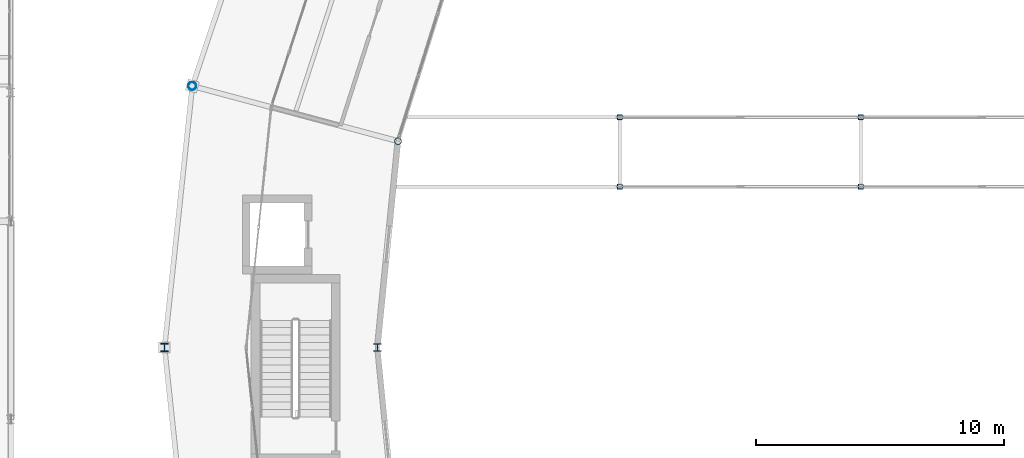
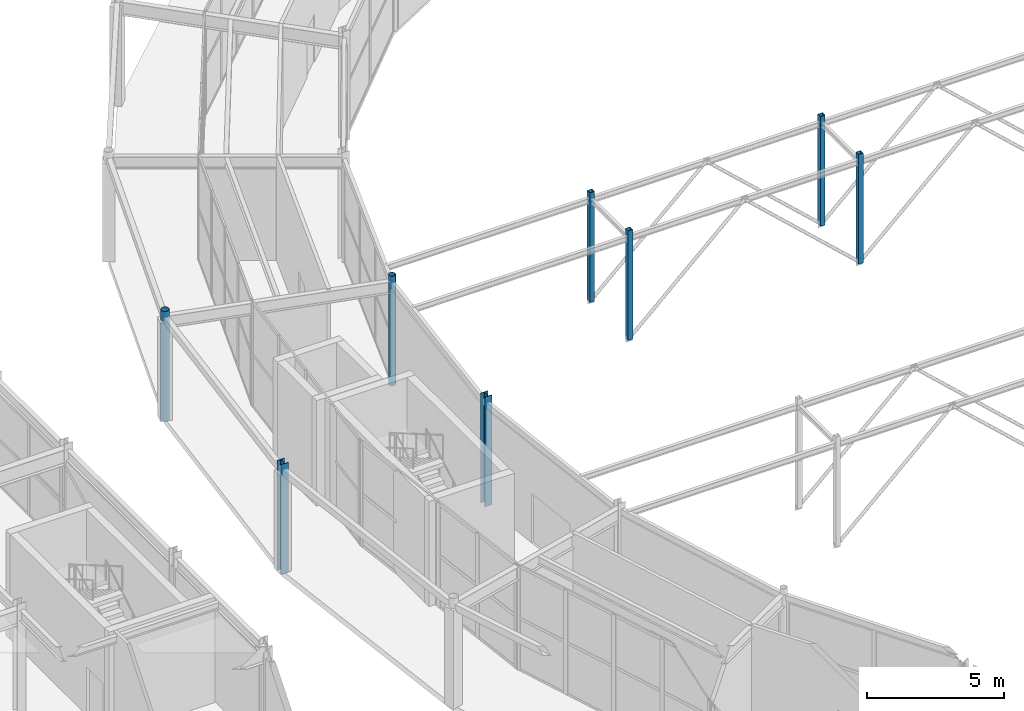
# One storey, part 5 of 144: 8 columns.
"""IFC4 building model written with IfcOpenShell, lengths in metres."""

from ifc_helpers import new_model, si_unit, direction, frame, origin, origin_2d, place, context, subcontext, project, spatial, hollow_rectangle, hollow_circle, i_section, extrude, material, material_profile, profile_set, type_object, element, save


model = new_model("IFC4")

# Units and contexts
model_context = context("Model", 3, precision=1e-05, world=origin(), true_north=direction((0.0, 1.0)))
body_context = subcontext(model_context, "Body", "Model", "MODEL_VIEW")
ifc_project = project(units=[si_unit("LENGTHUNIT", "METRE"), si_unit("AREAUNIT", "SQUARE_METRE"), si_unit("VOLUMEUNIT", "CUBIC_METRE"), si_unit("PLANEANGLEUNIT", "RADIAN"), si_unit("MASSUNIT", "GRAM", prefix="KILO")], contexts=[model_context])

# Site, building, storey
site_placement = place(None, origin())
site = spatial("IfcSite", under=ifc_project, at=site_placement, CompositionType="ELEMENT")
building_placement = place(site_placement, origin())
building = spatial("IfcBuilding", under=site, at=building_placement, Name="Karori Crest Natural Sciences Institute", CompositionType="ELEMENT")
storey_placement = place(building_placement, origin())
storey = spatial("IfcBuildingStorey", under=building, at=storey_placement, Name="L00", CompositionType="ELEMENT", Elevation=0.0)

# Columns
ifc_material_1 = material(Name="Structural steel AS/NZS 3679.1 Grade 350", Category="steel")
ifc_material_profile_1 = material_profile(ifc_material_1, i_section(OverallWidth=0.31103515625, OverallDepth=0.326904296875, WebThickness=0.015625, FlangeThickness=0.02490234375, FilletRadius=0.01708984375, at=origin_2d()), Name="310UC158")
ifc_profile_set_1 = profile_set([ifc_material_profile_1], Name="Structural steel AS/NZS 3679.1 Grade 350")
column_type_1 = type_object("IfcColumnType", Name="CT-04", PredefinedType="COLUMN", material=ifc_profile_set_1)
column_1_placement = place(storey_placement, frame((33.39990234375, 49.89990234375, 0.0), z_axis=(0.0, 0.0, 1.0), x_axis=(1.0, 0.0, 0.0)))
element("IfcColumn", 1, at=column_1_placement, inside=storey, type_object=column_type_1, Name="Column C-0207", PredefinedType="COLUMN", context=body_context, shape_type="SweptSolid", body=[
    extrude(i_section(OverallWidth=0.31103515625, OverallDepth=0.326904296875, WebThickness=0.015625, FlangeThickness=0.02490234375, FilletRadius=0.01708984375, at=origin_2d()), origin(), (0.0, 0.0, 1.0), 4.89990234375),
])
ifc_material_profile_2 = material_profile(ifc_material_1, i_section(OverallWidth=0.306884765625, OverallDepth=0.31494140625, WebThickness=0.011962890625, FlangeThickness=0.018798828125, FilletRadius=0.01708984375, at=origin_2d()), Name="310UC118")
ifc_profile_set_2 = profile_set([ifc_material_profile_2], Name="Structural steel AS/NZS 3679.1 Grade 350")
column_type_2 = type_object("IfcColumnType", Name="CT-05", PredefinedType="COLUMN", material=ifc_profile_set_2)
column_2_placement = place(storey_placement, frame((42.0, 49.89990234375, 0.0), z_axis=(0.0, 0.0, 1.0), x_axis=(1.0, 0.0, 0.0)))
element("IfcColumn", 2, at=column_2_placement, inside=storey, type_object=column_type_2, Name="Column C-0208", PredefinedType="COLUMN", context=body_context, shape_type="SweptSolid", body=[
    extrude(i_section(OverallWidth=0.306884765625, OverallDepth=0.31494140625, WebThickness=0.011962890625, FlangeThickness=0.018798828125, FilletRadius=0.01708984375, at=origin_2d()), origin(), (0.0, 0.0, 1.0), 4.89990234375),
])
ifc_material_2 = material(Name="Hollow structural steel AS/NZS 1163 Grade C350", Category="steel")
ifc_material_profile_3 = material_profile(ifc_material_2, hollow_rectangle(XDim=0.199951171875, YDim=0.199951171875, WallThickness=0.010009765625, at=origin_2d()), Name="SHS200x200x10")
ifc_profile_set_3 = profile_set([ifc_material_profile_3], Name="Hollow structural steel AS/NZS 1163 Grade C350")
column_type_3 = type_object("IfcColumnType", Name="CT-13-EL", PredefinedType="COLUMN", material=ifc_profile_set_3)
for number, where, z_axis, x_axis, name in (
    (3, (51.7900390625, 56.39990234375, 0.0), (0.0, 0.0, 1.0), (1.0, 0.0, 0.0), "Column C-0438"),
    (4, (51.7900390625, 59.199951171875, 0.0), (0.0, 0.0, 1.0), (1.0, 0.0, 0.0), "Column C-0442"),
    (5, (61.530029296875, 56.39990234375, 0.0), (0.0, 0.0, 1.0), (1.0, 0.0, 0.0), "Column C-0446"),
    (6, (61.530029296875, 59.199951171875, 0.0), (0.0, 0.0, 1.0), (1.0, 0.0, 0.0), "Column C-0450"),
):
    element("IfcColumn", number, at=place(storey_placement, frame(where, z_axis=z_axis, x_axis=x_axis)), inside=storey, type_object=column_type_3, Name=name, PredefinedType="COLUMN", context=body_context, shape_type="SweptSolid", body=[
        extrude(hollow_rectangle(XDim=0.199951171875, YDim=0.199951171875, WallThickness=0.010009765625, at=origin_2d()), origin(), (0.0, 0.0, 1.0), 4.89990234375),
    ])
ifc_material_profile_4 = material_profile(ifc_material_2, hollow_circle(Radius=0.161865234375, WallThickness=0.0126953125, at=origin_2d()), Name="CHS323.9x12.7")
ifc_profile_set_4 = profile_set([ifc_material_profile_4], Name="Hollow structural steel AS/NZS 1163 Grade C350")
column_type_4 = type_object("IfcColumnType", Name="CT-15", PredefinedType="COLUMN", material=ifc_profile_set_4)
column_3_placement = place(storey_placement, frame((34.5244140625, 60.459716796875, 0.0), z_axis=(0.0, 0.0, 1.0), x_axis=(1.0, 0.0, 0.0)))
element("IfcColumn", 7, at=column_3_placement, inside=storey, type_object=column_type_4, Name="Column C-0191", PredefinedType="COLUMN", context=body_context, shape_type="SweptSolid", body=[
    extrude(hollow_circle(Radius=0.161865234375, WallThickness=0.0126953125, at=origin_2d()), origin(), (0.0, 0.0, 1.0), 4.89990234375),
])
ifc_material_profile_5 = material_profile(ifc_material_2, hollow_circle(Radius=0.136474609375, WallThickness=0.00927734375, at=origin_2d()), Name="CHS273.0x9.3")
ifc_profile_set_5 = profile_set([ifc_material_profile_5], Name="Hollow structural steel AS/NZS 1163 Grade C350")
column_type_5 = type_object("IfcColumnType", Name="CT-16", PredefinedType="COLUMN", material=ifc_profile_set_5)
column_4_placement = place(storey_placement, frame((42.831298828125, 58.23388671875, 0.0), z_axis=(0.0, 0.0, 1.0), x_axis=(1.0, 0.0, 0.0)))
element("IfcColumn", 8, at=column_4_placement, inside=storey, type_object=column_type_5, Name="Column C-0192", PredefinedType="COLUMN", context=body_context, shape_type="SweptSolid", body=[
    extrude(hollow_circle(Radius=0.136474609375, WallThickness=0.00927734375, at=origin_2d()), origin(), (0.0, 0.0, 1.0), 4.89990234375),
])

save(model, "model.ifc")
